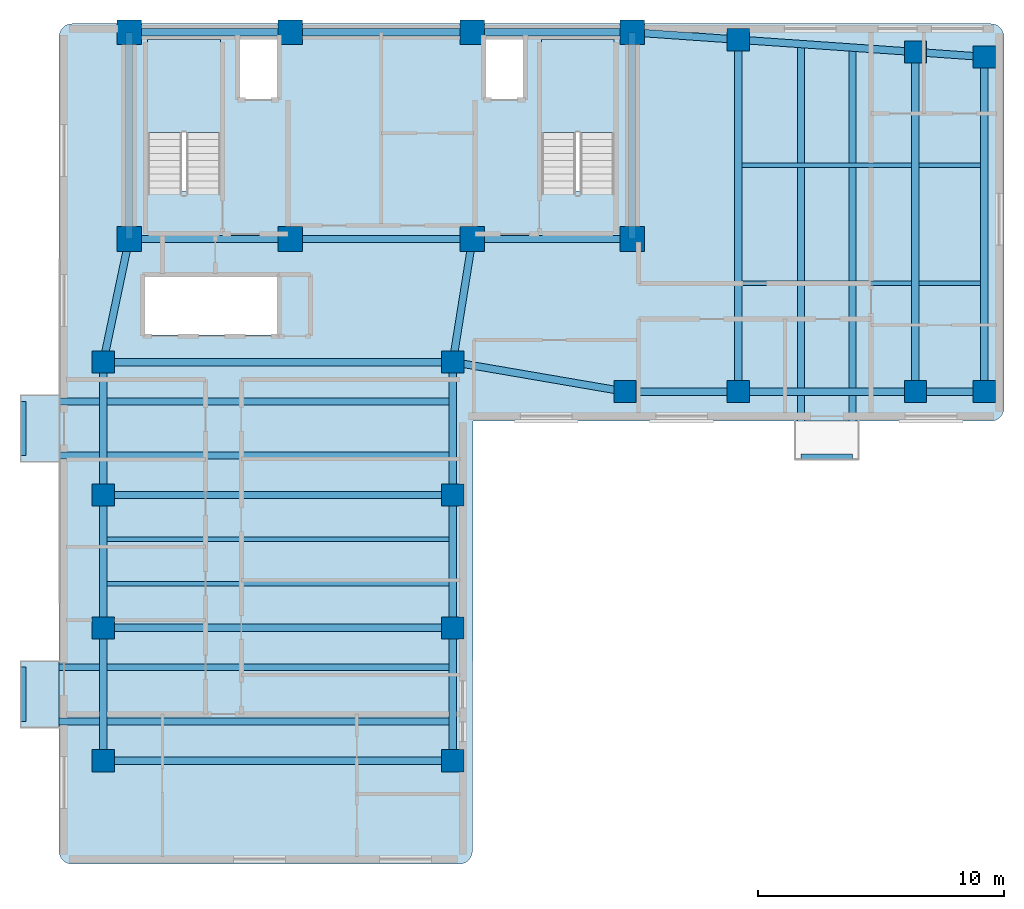
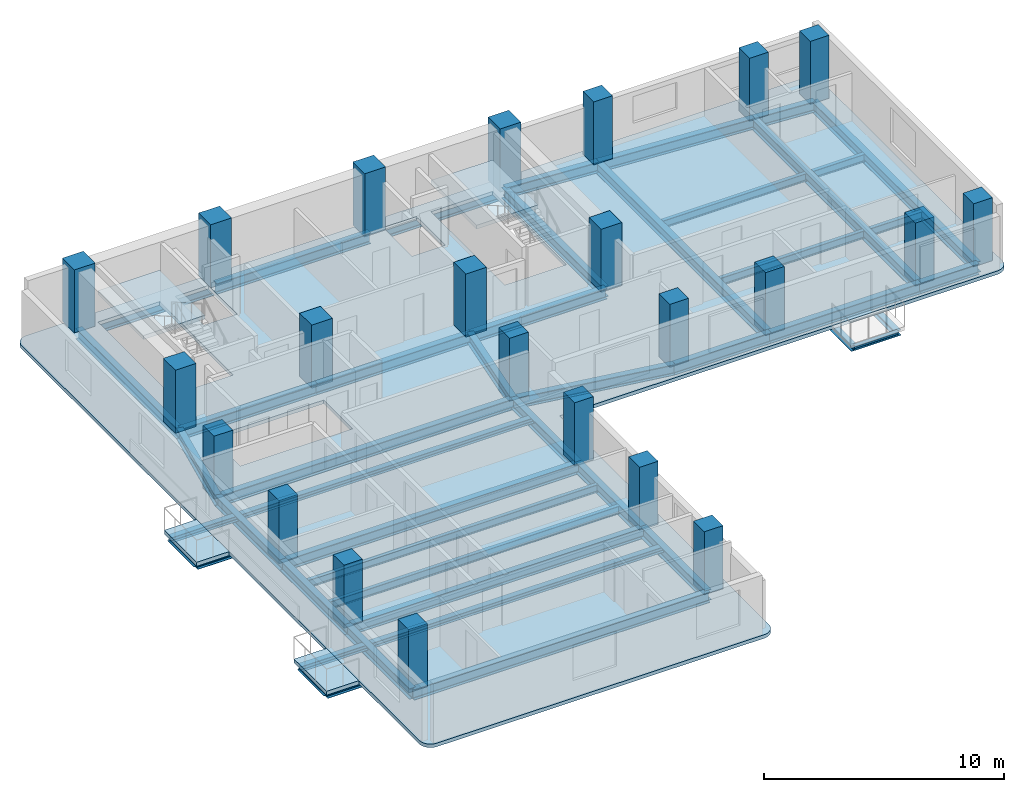
# One storey, part 1 of 6: 45 beams, 23 columns, 5 slabs, 2 elements without a shape of their own.
"""IFC4 building model written with IfcOpenShell, lengths in metres."""

from ifc_helpers import new_model, si_unit, direction, frame, origin, origin_2d, place, context, subcontext, project, spatial, polyline, rectangle, i_section, outline, extrude, material, layer, layer_set, material_profile, profile_set, type_object, element, aggregate, save


model = new_model("IFC4")

# Units and contexts
model_context = context("Model", 3, precision=1e-05, world=origin(), true_north=direction((0.0, 1.0)))
body_context = subcontext(model_context, "Body", "Model", "MODEL_VIEW")
ifc_project = project(units=[si_unit("LENGTHUNIT", "METRE"), si_unit("AREAUNIT", "SQUARE_METRE"), si_unit("VOLUMEUNIT", "CUBIC_METRE"), si_unit("PLANEANGLEUNIT", "RADIAN"), si_unit("MASSUNIT", "GRAM", prefix="KILO")], contexts=[model_context])

# Site, building, storey
site_placement = place(None, origin())
site = spatial("IfcSite", under=ifc_project, at=site_placement, CompositionType="ELEMENT")
building_placement = place(site_placement, origin())
building = spatial("IfcBuilding", under=site, at=building_placement, Name="Kuzgunbayir Cultural Tower", CompositionType="ELEMENT")
storey_placement = place(building_placement, frame((0.0, 0.0, 169.60009765625)))
storey = spatial("IfcBuildingStorey", under=building, at=storey_placement, Name="L49", CompositionType="ELEMENT", Elevation=169.60009765625)

# Columns
ifc_material_1 = material(Name="Concrete C50/60", Category="concrete")
ifc_material_profile_1 = material_profile(ifc_material_1, rectangle(XDim=1.0, YDim=1.0, at=origin_2d()), Name="RC 1000x1000")
ifc_profile_set_1 = profile_set([ifc_material_profile_1], Name="Concrete C50/60")
column_type_1 = type_object("IfcColumnType", Name="COL-CORE-1000", PredefinedType="COLUMN", material=ifc_profile_set_1)
for number, where, z_axis, x_axis, name in (
    (1, (6.449951171875, 33.800048828125, 0.0), (0.0, 0.0, 1.0), (1.0, 0.0, 0.0), "L49 T1 Core Boundary Column CC1-1"),
    (2, (13.0, 33.800048828125, 0.0), (0.0, 0.0, 1.0), (1.0, 0.0, 0.0), "L49 T1 Core Boundary Column CC1-2"),
    (3, (20.39990234375, 33.800048828125, 0.0), (0.0, 0.0, 1.0), (1.0, 0.0, 0.0), "L49 T1 Core Boundary Column CC1-3"),
    (4, (26.89990234375, 33.800048828125, 0.0), (0.0, 0.0, 1.0), (1.0, 0.0, 0.0), "L49 T1 Core Boundary Column CC1-4"),
    (5, (6.449951171875, 42.199951171875, 0.0), (0.0, 0.0, 1.0), (1.0, 0.0, 0.0), "L49 T1 Core Boundary Column CC1-5"),
    (6, (13.0, 42.199951171875, 0.0), (0.0, 0.0, 1.0), (1.0, 0.0, 0.0), "L49 T1 Core Boundary Column CC1-6"),
    (7, (20.39990234375, 42.199951171875, 0.0), (0.0, 0.0, 1.0), (1.0, 0.0, 0.0), "L49 T1 Core Boundary Column CC1-7"),
    (8, (26.89990234375, 42.199951171875, 0.0), (0.0, 0.0, 1.0), (1.0, 0.0, 0.0), "L49 T1 Core Boundary Column CC1-8"),
):
    element("IfcColumn", number, at=place(storey_placement, frame(where, z_axis=z_axis, x_axis=x_axis)), inside=storey, type_object=column_type_1, Name=name, PredefinedType="COLUMN", context=body_context, shape_type="SweptSolid", body=[
        extrude(rectangle(XDim=1.0, YDim=1.0, at=origin_2d()), origin(), (0.0, 0.0, 1.0), 3.199951171875),
    ])
ifc_material_profile_2 = material_profile(ifc_material_1, rectangle(XDim=0.89990234375, YDim=0.89990234375, at=origin_2d()), Name="RC 900x900")
ifc_profile_set_2 = profile_set([ifc_material_profile_2], Name="Concrete C50/60")
column_type_2 = type_object("IfcColumnType", Name="COL-T1-900", PredefinedType="COLUMN", material=ifc_profile_set_2)
for number, where, z_axis, x_axis, name in (
    (9, (5.39990234375, 12.60009765625, 0.0), (0.0, 0.0, 1.0), (1.0, 0.0, 0.0), "L49 Tower 1 Wing A Column T1A-W-1"),
    (10, (19.60009765625, 12.60009765625, 0.0), (0.0, 0.0, 1.0), (1.0, 0.0, 0.0), "L49 Tower 1 Wing A Column T1A-E-1"),
    (11, (5.39990234375, 18.0, 0.0), (0.0, 0.0, 1.0), (1.0, 0.0, 0.0), "L49 Tower 1 Wing A Column T1A-W-2"),
    (12, (19.60009765625, 18.0, 0.0), (0.0, 0.0, 1.0), (1.0, 0.0, 0.0), "L49 Tower 1 Wing A Column T1A-E-2"),
    (13, (5.39990234375, 23.39990234375, 0.0), (0.0, 0.0, 1.0), (1.0, 0.0, 0.0), "L49 Tower 1 Wing A Column T1A-W-3"),
    (14, (19.60009765625, 23.39990234375, 0.0), (0.0, 0.0, 1.0), (1.0, 0.0, 0.0), "L49 Tower 1 Wing A Column T1A-E-3"),
    (15, (5.39990234375, 28.800048828125, 0.0), (0.0, 0.0, 1.0), (1.0, 0.0, 0.0), "L49 Tower 1 Wing A Column T1A-W-4"),
    (16, (19.60009765625, 28.800048828125, 0.0), (0.0, 0.0, 1.0), (1.0, 0.0, 0.0), "L49 Tower 1 Wing A Column T1A-E-4"),
    (17, (26.60009765625, 27.60009765625, 0.0), (0.0, 0.0, 1.0), (1.0, 0.0, 0.0), "L49 Tower 1 Wing B Column T1B-1-1"),
    (18, (31.199951171875, 27.60009765625, 0.0), (0.0, 0.0, 1.0), (1.0, 0.0, 0.0), "L49 Tower 1 Wing B Column T1B-2-1"),
    (19, (31.199951171875, 41.89990234375, 0.0), (0.0, 0.0, 1.0), (1.0, 0.0, 0.0), "L49 Tower 1 Wing B Column T1B-2-2"),
    (20, (38.39990234375, 27.60009765625, 0.0), (0.0, 0.0, 1.0), (1.0, 0.0, 0.0), "L49 Tower 1 Wing B Column T1B-3-1"),
    (21, (38.39990234375, 41.39990234375, 0.0), (0.0, 0.0, 1.0), (1.0, 0.0, 0.0), "L49 Tower 1 Wing B Column T1B-3-2"),
    (22, (41.199951171875, 27.60009765625, 0.0), (0.0, 0.0, 1.0), (1.0, 0.0, 0.0), "L49 Tower 1 Wing B Column T1B-4-1"),
    (23, (41.199951171875, 41.199951171875, 0.0), (0.0, 0.0, 1.0), (1.0, 0.0, 0.0), "L49 Tower 1 Wing B Column T1B-4-2"),
):
    element("IfcColumn", number, at=place(storey_placement, frame(where, z_axis=z_axis, x_axis=x_axis)), inside=storey, type_object=column_type_2, Name=name, PredefinedType="COLUMN", context=body_context, shape_type="SweptSolid", body=[
        extrude(rectangle(XDim=0.89990234375, YDim=0.89990234375, at=origin_2d()), origin(), (0.0, 0.0, 1.0), 3.199951171875),
    ])

# Beams
ifc_material_2 = material(Name="Steel S355J2", Category="steel")
ifc_material_profile_3 = material_profile(ifc_material_2, i_section(OverallWidth=0.280029296875, OverallDepth=0.280029296875, WebThickness=0.010498046875, FlangeThickness=0.01806640625, FilletRadius=0.02392578125, at=origin_2d()), Name="HEB 280")
ifc_profile_set_3 = profile_set([ifc_material_profile_3], Name="Steel S355J2")
beam_type_1 = type_object("IfcBeamType", Name="BM-BAL-HEB280", PredefinedType="BEAM", material=ifc_profile_set_3)
for number, where, z_axis, x_axis, name in (
    (24, (2.159912109375, 14.199951171875, -0.340087890625), (1.0, 0.0, 0.0), (0.0, 1.0, 0.0), "L49 Balcony Outrigger Beam BAL-L49-WA1.1"),
    (25, (2.159912109375, 16.39990234375, -0.340087890625), (1.0, 0.0, 0.0), (0.0, 1.0, 0.0), "L49 Balcony Outrigger Beam BAL-L49-WA1.2"),
    (26, (2.159912109375, 25.0, -0.340087890625), (1.0, 0.0, 0.0), (0.0, 1.0, 0.0), "L49 Balcony Outrigger Beam BAL-L49-WA3.1"),
    (27, (2.159912109375, 27.199951171875, -0.340087890625), (1.0, 0.0, 0.0), (0.0, 1.0, 0.0), "L49 Balcony Outrigger Beam BAL-L49-WA3.2"),
):
    element("IfcBeam", number, at=place(storey_placement, frame(where, z_axis=z_axis, x_axis=x_axis)), inside=storey, type_object=beam_type_1, Name=name, PredefinedType="BEAM", context=body_context, shape_type="SweptSolid", body=[
        extrude(i_section(OverallWidth=0.280029296875, OverallDepth=0.280029296875, WebThickness=0.010498046875, FlangeThickness=0.01806640625, FilletRadius=0.02392578125, at=origin_2d()), origin(), (0.0, 0.0, 1.0), 17.440185546875),
    ])
beam_1_placement = place(storey_placement, frame((33.75, 24.9599609375, -0.340087890625), z_axis=(0.0, 1.0, 0.0), x_axis=(-1.0, 0.0, 0.0)))
element("IfcBeam", 28, at=beam_1_placement, inside=storey, type_object=beam_type_1, Name="L49 Balcony Outrigger Beam BAL-L49-WB2.1", PredefinedType="BEAM", context=body_context, shape_type="SweptSolid", body=[
    extrude(i_section(OverallWidth=0.280029296875, OverallDepth=0.280029296875, WebThickness=0.010498046875, FlangeThickness=0.01806640625, FilletRadius=0.02392578125, at=origin_2d()), origin(), (0.0, 0.0, 1.0), 16.760009765625),
])
beam_2_placement = place(storey_placement, frame((35.85009765625, 24.9599609375, -0.340087890625), z_axis=(0.0, 1.0, 0.0), x_axis=(-1.0, 0.0, 0.0)))
element("IfcBeam", 29, at=beam_2_placement, inside=storey, type_object=beam_type_1, Name="L49 Balcony Outrigger Beam BAL-L49-WB2.2", PredefinedType="BEAM", context=body_context, shape_type="SweptSolid", body=[
    extrude(i_section(OverallWidth=0.280029296875, OverallDepth=0.280029296875, WebThickness=0.010498046875, FlangeThickness=0.01806640625, FilletRadius=0.02392578125, at=origin_2d()), origin(), (0.0, 0.0, 1.0), 16.6201171875),
])
ifc_material_profile_4 = material_profile(ifc_material_2, i_section(OverallWidth=0.199951171875, OverallDepth=0.199951171875, WebThickness=0.009033203125, FlangeThickness=0.014892578125, FilletRadius=0.01806640625, at=origin_2d()), Name="HEB 200")
ifc_profile_set_4 = profile_set([ifc_material_profile_4], Name="Steel S355J2")
beam_type_2 = type_object("IfcBeamType", Name="BM-CAN-HEB200", PredefinedType="BEAM", material=ifc_profile_set_4)
for number, where, z_axis, x_axis, name in (
    (30, (2.159912109375, 14.199951171875, -0.300048828125), (0.0, 1.0, 0.0), (-1.0, 0.0, 0.0), "L49 Balcony Edge Header BAL-L49-WA1"),
    (31, (2.159912109375, 25.0, -0.300048828125), (0.0, 1.0, 0.0), (-1.0, 0.0, 0.0), "L49 Balcony Edge Header BAL-L49-WA3"),
):
    element("IfcBeam", number, at=place(storey_placement, frame(where, z_axis=z_axis, x_axis=x_axis)), inside=storey, type_object=beam_type_2, Name=name, PredefinedType="BEAM", context=body_context, shape_type="SweptSolid", body=[
        extrude(i_section(OverallWidth=0.199951171875, OverallDepth=0.199951171875, WebThickness=0.009033203125, FlangeThickness=0.014892578125, FilletRadius=0.01806640625, at=origin_2d()), origin(), (0.0, 0.0, 1.0), 2.199951171875),
    ])
beam_3_placement = place(storey_placement, frame((33.75, 24.9599609375, -0.300048828125), z_axis=(1.0, 0.0, 0.0), x_axis=(0.0, 1.0, 0.0)))
element("IfcBeam", 32, at=beam_3_placement, inside=storey, type_object=beam_type_2, Name="L49 Balcony Edge Header BAL-L49-WB2", PredefinedType="BEAM", context=body_context, shape_type="SweptSolid", body=[
    extrude(i_section(OverallWidth=0.199951171875, OverallDepth=0.199951171875, WebThickness=0.009033203125, FlangeThickness=0.014892578125, FilletRadius=0.01806640625, at=origin_2d()), origin(), (0.0, 0.0, 1.0), 2.10009765625),
])
ifc_material_profile_5 = material_profile(ifc_material_2, i_section(OverallWidth=0.300048828125, OverallDepth=0.550048828125, WebThickness=0.014892578125, FlangeThickness=0.029052734375, FilletRadius=0.027099609375, at=origin_2d()), Name="HEB 550")
ifc_profile_set_5 = profile_set([ifc_material_profile_5], Name="Steel S355J2")
beam_type_3 = type_object("IfcBeamType", Name="BM-EXT-HEB550", PredefinedType="BEAM", material=ifc_profile_set_5)
for number, where, z_axis, x_axis, name in (
    (33, (5.39990234375, 12.60009765625, -0.460205078125), (0.0, 1.0, 0.0), (-1.0, 0.0, 0.0), "L49 Wing A West Girder 1"),
    (34, (19.60009765625, 12.60009765625, -0.460205078125), (0.0, 1.0, 0.0), (-1.0, 0.0, 0.0), "L49 Wing A East Girder 1"),
    (35, (5.39990234375, 18.0, -0.460205078125), (0.0, 1.0, 0.0), (-1.0, 0.0, 0.0), "L49 Wing A West Girder 2"),
    (36, (19.60009765625, 18.0, -0.460205078125), (0.0, 1.0, 0.0), (-1.0, 0.0, 0.0), "L49 Wing A East Girder 2"),
):
    element("IfcBeam", number, at=place(storey_placement, frame(where, z_axis=z_axis, x_axis=x_axis)), inside=storey, type_object=beam_type_3, Name=name, PredefinedType="BEAM", context=body_context, shape_type="SweptSolid", body=[
        extrude(i_section(OverallWidth=0.300048828125, OverallDepth=0.550048828125, WebThickness=0.014892578125, FlangeThickness=0.029052734375, FilletRadius=0.027099609375, at=origin_2d()), origin(), (0.0, 0.0, 1.0), 5.39990234375),
    ])
for number, where, z_axis, x_axis, name in (
    (37, (5.39990234375, 23.39990234375, -0.460205078125), (0.0, 1.0, 0.0), (-1.0, 0.0, 0.0), "L49 Wing A West Girder 3"),
    (38, (19.60009765625, 23.39990234375, -0.460205078125), (0.0, 1.0, 0.0), (-1.0, 0.0, 0.0), "L49 Wing A East Girder 3"),
):
    element("IfcBeam", number, at=place(storey_placement, frame(where, z_axis=z_axis, x_axis=x_axis)), inside=storey, type_object=beam_type_3, Name=name, PredefinedType="BEAM", context=body_context, shape_type="SweptSolid", body=[
        extrude(i_section(OverallWidth=0.300048828125, OverallDepth=0.550048828125, WebThickness=0.014892578125, FlangeThickness=0.029052734375, FilletRadius=0.027099609375, at=origin_2d()), origin(), (0.0, 0.0, 1.0), 5.400146484375),
    ])
beam_4_placement = place(storey_placement, frame((26.60009765625, 27.60009765625, -0.460205078125), z_axis=(1.0, 0.0, 0.0), x_axis=(0.0, 1.0, 0.0)))
element("IfcBeam", 39, at=beam_4_placement, inside=storey, type_object=beam_type_3, Name="L49 Wing B South Girder 1", PredefinedType="BEAM", context=body_context, shape_type="SweptSolid", body=[
    extrude(i_section(OverallWidth=0.300048828125, OverallDepth=0.550048828125, WebThickness=0.014892578125, FlangeThickness=0.029052734375, FilletRadius=0.027099609375, at=origin_2d()), origin(), (0.0, 0.0, 1.0), 4.599853515625),
])
beam_5_placement = place(storey_placement, frame((26.89990234375, 42.199951171875, -0.460205078125), z_axis=(0.997574369175, -0.069608749203, 0.0), x_axis=(0.069608749203, 0.997574369175, 0.0)))
element("IfcBeam", 40, at=beam_5_placement, inside=storey, type_object=beam_type_3, Name="L49 Wing B North Girder 1", PredefinedType="BEAM", context=body_context, shape_type="SweptSolid", body=[
    extrude(i_section(OverallWidth=0.300048828125, OverallDepth=0.550048828125, WebThickness=0.014892578125, FlangeThickness=0.029052734375, FilletRadius=0.027099609375, at=origin_2d()), origin(), (0.0, 0.0, 1.0), 4.310546875),
])
beam_6_placement = place(storey_placement, frame((31.199951171875, 27.60009765625, -0.460205078125), z_axis=(1.0, 0.0, 0.0), x_axis=(0.0, 1.0, 0.0)))
element("IfcBeam", 41, at=beam_6_placement, inside=storey, type_object=beam_type_3, Name="L49 Wing B South Girder 2", PredefinedType="BEAM", context=body_context, shape_type="SweptSolid", body=[
    extrude(i_section(OverallWidth=0.300048828125, OverallDepth=0.550048828125, WebThickness=0.014892578125, FlangeThickness=0.029052734375, FilletRadius=0.027099609375, at=origin_2d()), origin(), (0.0, 0.0, 1.0), 7.199951171875),
])
beam_7_placement = place(storey_placement, frame((31.199951171875, 41.89990234375, -0.460205078125), z_axis=(0.997597388498, -0.069278066245, 0.0), x_axis=(0.069278066245, 0.997597388498, 0.0)))
element("IfcBeam", 42, at=beam_7_placement, inside=storey, type_object=beam_type_3, Name="L49 Wing B North Girder 2", PredefinedType="BEAM", context=body_context, shape_type="SweptSolid", body=[
    extrude(i_section(OverallWidth=0.300048828125, OverallDepth=0.550048828125, WebThickness=0.014892578125, FlangeThickness=0.029052734375, FilletRadius=0.027099609375, at=origin_2d()), origin(), (0.0, 0.0, 1.0), 7.21728515625),
])
beam_8_placement = place(storey_placement, frame((38.39990234375, 27.60009765625, -0.460205078125), z_axis=(1.0, 0.0, 0.0), x_axis=(0.0, 1.0, 0.0)))
element("IfcBeam", 43, at=beam_8_placement, inside=storey, type_object=beam_type_3, Name="L49 Wing B South Girder 3", PredefinedType="BEAM", context=body_context, shape_type="SweptSolid", body=[
    extrude(i_section(OverallWidth=0.300048828125, OverallDepth=0.550048828125, WebThickness=0.014892578125, FlangeThickness=0.029052734375, FilletRadius=0.027099609375, at=origin_2d()), origin(), (0.0, 0.0, 1.0), 2.800048828125),
])
beam_9_placement = place(storey_placement, frame((38.39990234375, 41.39990234375, -0.460205078125), z_axis=(0.997460024076, -0.071228508128, 0.0), x_axis=(0.071228508128, 0.997460024076, 0.0)))
element("IfcBeam", 44, at=beam_9_placement, inside=storey, type_object=beam_type_3, Name="L49 Wing B North Girder 3", PredefinedType="BEAM", context=body_context, shape_type="SweptSolid", body=[
    extrude(i_section(OverallWidth=0.300048828125, OverallDepth=0.550048828125, WebThickness=0.014892578125, FlangeThickness=0.029052734375, FilletRadius=0.027099609375, at=origin_2d()), origin(), (0.0, 0.0, 1.0), 2.80712890625),
])
ifc_material_profile_6 = material_profile(ifc_material_2, i_section(OverallWidth=0.300048828125, OverallDepth=0.550048828125, WebThickness=0.014892578125, FlangeThickness=0.029052734375, FilletRadius=0.027099609375, at=origin_2d()), Name="HEB 550")
ifc_profile_set_6 = profile_set([ifc_material_profile_6], Name="Steel S355J2")
beam_type_4 = type_object("IfcBeamType", Name="BM-GIR-HEB550", PredefinedType="BEAM", material=ifc_profile_set_6)
beam_10_placement = place(storey_placement, frame((6.449951171875, 33.800048828125, -0.460205078125), z_axis=(1.0, 0.0, 0.0), x_axis=(0.0, 1.0, 0.0)))
element("IfcBeam", 45, at=beam_10_placement, inside=storey, type_object=beam_type_4, Name="L49 Core South Girder 1", PredefinedType="BEAM", context=body_context, shape_type="SweptSolid", body=[
    extrude(i_section(OverallWidth=0.300048828125, OverallDepth=0.550048828125, WebThickness=0.014892578125, FlangeThickness=0.029052734375, FilletRadius=0.027099609375, at=origin_2d()), origin(), (0.0, 0.0, 1.0), 6.550048828125),
])
beam_11_placement = place(storey_placement, frame((13.0, 33.800048828125, -0.460205078125), z_axis=(1.0, 0.0, 0.0), x_axis=(0.0, 1.0, 0.0)))
element("IfcBeam", 46, at=beam_11_placement, inside=storey, type_object=beam_type_4, Name="L49 Core South Girder 2", PredefinedType="BEAM", context=body_context, shape_type="SweptSolid", body=[
    extrude(i_section(OverallWidth=0.300048828125, OverallDepth=0.550048828125, WebThickness=0.014892578125, FlangeThickness=0.029052734375, FilletRadius=0.027099609375, at=origin_2d()), origin(), (0.0, 0.0, 1.0), 7.39990234375),
])
beam_12_placement = place(storey_placement, frame((20.39990234375, 33.800048828125, -0.460205078125), z_axis=(1.0, 0.0, 0.0), x_axis=(0.0, 1.0, 0.0)))
element("IfcBeam", 47, at=beam_12_placement, inside=storey, type_object=beam_type_4, Name="L49 Core South Girder 3", PredefinedType="BEAM", context=body_context, shape_type="SweptSolid", body=[
    extrude(i_section(OverallWidth=0.300048828125, OverallDepth=0.550048828125, WebThickness=0.014892578125, FlangeThickness=0.029052734375, FilletRadius=0.027099609375, at=origin_2d()), origin(), (0.0, 0.0, 1.0), 6.5),
])
beam_13_placement = place(storey_placement, frame((6.449951171875, 42.199951171875, -0.460205078125), z_axis=(1.0, 0.0, 0.0), x_axis=(0.0, 1.0, 0.0)))
element("IfcBeam", 48, at=beam_13_placement, inside=storey, type_object=beam_type_4, Name="L49 Core North Girder 1", PredefinedType="BEAM", context=body_context, shape_type="SweptSolid", body=[
    extrude(i_section(OverallWidth=0.300048828125, OverallDepth=0.550048828125, WebThickness=0.014892578125, FlangeThickness=0.029052734375, FilletRadius=0.027099609375, at=origin_2d()), origin(), (0.0, 0.0, 1.0), 6.550048828125),
])
beam_14_placement = place(storey_placement, frame((13.0, 42.199951171875, -0.460205078125), z_axis=(1.0, 0.0, 0.0), x_axis=(0.0, 1.0, 0.0)))
element("IfcBeam", 49, at=beam_14_placement, inside=storey, type_object=beam_type_4, Name="L49 Core North Girder 2", PredefinedType="BEAM", context=body_context, shape_type="SweptSolid", body=[
    extrude(i_section(OverallWidth=0.300048828125, OverallDepth=0.550048828125, WebThickness=0.014892578125, FlangeThickness=0.029052734375, FilletRadius=0.027099609375, at=origin_2d()), origin(), (0.0, 0.0, 1.0), 7.39990234375),
])
beam_15_placement = place(storey_placement, frame((20.39990234375, 42.199951171875, -0.460205078125), z_axis=(1.0, 0.0, 0.0), x_axis=(0.0, 1.0, 0.0)))
element("IfcBeam", 50, at=beam_15_placement, inside=storey, type_object=beam_type_4, Name="L49 Core North Girder 3", PredefinedType="BEAM", context=body_context, shape_type="SweptSolid", body=[
    extrude(i_section(OverallWidth=0.300048828125, OverallDepth=0.550048828125, WebThickness=0.014892578125, FlangeThickness=0.029052734375, FilletRadius=0.027099609375, at=origin_2d()), origin(), (0.0, 0.0, 1.0), 6.5),
])
for number, where, z_axis, x_axis, name in (
    (51, (6.449951171875, 33.800048828125, -0.460205078125), (0.0, 1.0, 0.0), (-1.0, 0.0, 0.0), "L49 Core West Edge Girder"),
    (52, (26.89990234375, 33.800048828125, -0.460205078125), (0.0, 1.0, 0.0), (-1.0, 0.0, 0.0), "L49 Core East Edge Girder"),
):
    element("IfcBeam", number, at=place(storey_placement, frame(where, z_axis=z_axis, x_axis=x_axis)), inside=storey, type_object=beam_type_4, Name=name, PredefinedType="BEAM", context=body_context, shape_type="SweptSolid", body=[
        extrude(i_section(OverallWidth=0.300048828125, OverallDepth=0.550048828125, WebThickness=0.014892578125, FlangeThickness=0.029052734375, FilletRadius=0.027099609375, at=origin_2d()), origin(), (0.0, 0.0, 1.0), 8.39990234375),
    ])
for number, where, z_axis, x_axis, name in (
    (53, (5.39990234375, 12.60009765625, -0.460205078125), (1.0, 0.0, 0.0), (0.0, 1.0, 0.0), "L49 Wing A Transverse Girder 1"),
    (54, (5.39990234375, 18.0, -0.460205078125), (1.0, 0.0, 0.0), (0.0, 1.0, 0.0), "L49 Wing A Transverse Girder 2"),
    (55, (5.39990234375, 23.39990234375, -0.460205078125), (1.0, 0.0, 0.0), (0.0, 1.0, 0.0), "L49 Wing A Transverse Girder 3"),
    (56, (5.39990234375, 28.800048828125, -0.460205078125), (1.0, 0.0, 0.0), (0.0, 1.0, 0.0), "L49 Wing A Transverse Girder 4"),
):
    element("IfcBeam", number, at=place(storey_placement, frame(where, z_axis=z_axis, x_axis=x_axis)), inside=storey, type_object=beam_type_4, Name=name, PredefinedType="BEAM", context=body_context, shape_type="SweptSolid", body=[
        extrude(i_section(OverallWidth=0.300048828125, OverallDepth=0.550048828125, WebThickness=0.014892578125, FlangeThickness=0.029052734375, FilletRadius=0.027099609375, at=origin_2d()), origin(), (0.0, 0.0, 1.0), 14.2001953125),
    ])
beam_16_placement = place(storey_placement, frame((5.39990234375, 28.800048828125, -0.460205078125), z_axis=(0.205526387753, 0.978651574329, 0.0), x_axis=(-0.978651574329, 0.205526387753, 0.0)))
element("IfcBeam", 57, at=beam_16_placement, inside=storey, type_object=beam_type_4, Name="L49 Wing A West Core Floor Girder", PredefinedType="BEAM", context=body_context, shape_type="SweptSolid", body=[
    extrude(i_section(OverallWidth=0.300048828125, OverallDepth=0.550048828125, WebThickness=0.014892578125, FlangeThickness=0.029052734375, FilletRadius=0.027099609375, at=origin_2d()), origin(), (0.0, 0.0, 1.0), 5.109130859375),
])
beam_17_placement = place(storey_placement, frame((19.60009765625, 28.800048828125, -0.460205078125), z_axis=(0.157952891656, 0.987446648694, 0.0), x_axis=(-0.987446648694, 0.157952891656, 0.0)))
element("IfcBeam", 58, at=beam_17_placement, inside=storey, type_object=beam_type_4, Name="L49 Wing A East Core Floor Girder", PredefinedType="BEAM", context=body_context, shape_type="SweptSolid", body=[
    extrude(i_section(OverallWidth=0.300048828125, OverallDepth=0.550048828125, WebThickness=0.014892578125, FlangeThickness=0.029052734375, FilletRadius=0.027099609375, at=origin_2d()), origin(), (0.0, 0.0, 1.0), 5.0634765625),
])
beam_18_placement = place(storey_placement, frame((31.199951171875, 27.60009765625, -0.460205078125), z_axis=(0.0, 1.0, 0.0), x_axis=(-1.0, 0.0, 0.0)))
element("IfcBeam", 59, at=beam_18_placement, inside=storey, type_object=beam_type_4, Name="L49 Wing B Cross Girder 31", PredefinedType="BEAM", context=body_context, shape_type="SweptSolid", body=[
    extrude(i_section(OverallWidth=0.300048828125, OverallDepth=0.550048828125, WebThickness=0.014892578125, FlangeThickness=0.029052734375, FilletRadius=0.027099609375, at=origin_2d()), origin(), (0.0, 0.0, 1.0), 14.2998046875),
])
beam_19_placement = place(storey_placement, frame((38.39990234375, 27.60009765625, -0.460205078125), z_axis=(0.0, 1.0, 0.0), x_axis=(-1.0, 0.0, 0.0)))
element("IfcBeam", 60, at=beam_19_placement, inside=storey, type_object=beam_type_4, Name="L49 Wing B Cross Girder 38", PredefinedType="BEAM", context=body_context, shape_type="SweptSolid", body=[
    extrude(i_section(OverallWidth=0.300048828125, OverallDepth=0.550048828125, WebThickness=0.014892578125, FlangeThickness=0.029052734375, FilletRadius=0.027099609375, at=origin_2d()), origin(), (0.0, 0.0, 1.0), 13.7998046875),
])
beam_20_placement = place(storey_placement, frame((41.199951171875, 27.60009765625, -0.460205078125), z_axis=(0.0, 1.0, 0.0), x_axis=(-1.0, 0.0, 0.0)))
element("IfcBeam", 61, at=beam_20_placement, inside=storey, type_object=beam_type_4, Name="L49 Wing B Cross Girder 41", PredefinedType="BEAM", context=body_context, shape_type="SweptSolid", body=[
    extrude(i_section(OverallWidth=0.300048828125, OverallDepth=0.550048828125, WebThickness=0.014892578125, FlangeThickness=0.029052734375, FilletRadius=0.027099609375, at=origin_2d()), origin(), (0.0, 0.0, 1.0), 13.599853515625),
])
beam_21_placement = place(storey_placement, frame((19.60009765625, 28.800048828125, -0.460205078125), z_axis=(0.985623399742, -0.168957136221, 0.0), x_axis=(0.168957136221, 0.985623399742, 0.0)))
element("IfcBeam", 62, at=beam_21_placement, inside=storey, type_object=beam_type_4, Name="L49 Wing B Waist Tie Girder", PredefinedType="BEAM", context=body_context, shape_type="SweptSolid", body=[
    extrude(i_section(OverallWidth=0.300048828125, OverallDepth=0.550048828125, WebThickness=0.014892578125, FlangeThickness=0.029052734375, FilletRadius=0.027099609375, at=origin_2d()), origin(), (0.0, 0.0, 1.0), 7.10205078125),
])
ifc_material_profile_7 = material_profile(ifc_material_2, i_section(OverallWidth=0.179931640625, OverallDepth=0.39990234375, WebThickness=0.008544921875, FlangeThickness=0.013427734375, FilletRadius=0.02099609375, at=origin_2d()), Name="IPE 400")
ifc_profile_set_7 = profile_set([ifc_material_profile_7], Name="Steel S355J2")
beam_type_5 = type_object("IfcBeamType", Name="BM-JST-IPE400", PredefinedType="JOIST", material=ifc_profile_set_7)
for number, where, z_axis, x_axis, name in (
    (63, (5.550048828125, 19.800048828125, -0.380126953125), (1.0, 0.0, 0.0), (0.0, 1.0, 0.0), "L49 Wing A Secondary Joist 3"),
    (64, (5.550048828125, 21.60009765625, -0.380126953125), (1.0, 0.0, 0.0), (0.0, 1.0, 0.0), "L49 Wing A Secondary Joist 4"),
):
    element("IfcBeam", number, at=place(storey_placement, frame(where, z_axis=z_axis, x_axis=x_axis)), inside=storey, type_object=beam_type_5, Name=name, PredefinedType="JOIST", context=body_context, shape_type="SweptSolid", body=[
        extrude(i_section(OverallWidth=0.179931640625, OverallDepth=0.39990234375, WebThickness=0.008544921875, FlangeThickness=0.013427734375, FilletRadius=0.02099609375, at=origin_2d()), origin(), (0.0, 0.0, 1.0), 13.89990234375),
    ])
for number, where, z_axis, x_axis, name in (
    (65, (31.35009765625, 32.0, -0.380126953125), (1.0, 0.0, 0.0), (0.0, 1.0, 0.0), "L49 Wing B Secondary Joist 1.1"),
    (66, (31.35009765625, 36.800048828125, -0.380126953125), (1.0, 0.0, 0.0), (0.0, 1.0, 0.0), "L49 Wing B Secondary Joist 1.2"),
):
    element("IfcBeam", number, at=place(storey_placement, frame(where, z_axis=z_axis, x_axis=x_axis)), inside=storey, type_object=beam_type_5, Name=name, PredefinedType="JOIST", context=body_context, shape_type="SweptSolid", body=[
        extrude(i_section(OverallWidth=0.179931640625, OverallDepth=0.39990234375, WebThickness=0.008544921875, FlangeThickness=0.013427734375, FilletRadius=0.02099609375, at=origin_2d()), origin(), (0.0, 0.0, 1.0), 6.89990234375),
    ])
for number, where, z_axis, x_axis, name in (
    (67, (38.550048828125, 32.0, -0.380126953125), (1.0, 0.0, 0.0), (0.0, 1.0, 0.0), "L49 Wing B Secondary Joist 2.1"),
    (68, (38.550048828125, 36.800048828125, -0.380126953125), (1.0, 0.0, 0.0), (0.0, 1.0, 0.0), "L49 Wing B Secondary Joist 2.2"),
):
    element("IfcBeam", number, at=place(storey_placement, frame(where, z_axis=z_axis, x_axis=x_axis)), inside=storey, type_object=beam_type_5, Name=name, PredefinedType="JOIST", context=body_context, shape_type="SweptSolid", body=[
        extrude(i_section(OverallWidth=0.179931640625, OverallDepth=0.39990234375, WebThickness=0.008544921875, FlangeThickness=0.013427734375, FilletRadius=0.02099609375, at=origin_2d()), origin(), (0.0, 0.0, 1.0), 2.5),
    ])

# Slabs
ifc_material_3 = material(Name="Concrete C40/50", Category="concrete")
ifc_layer_1 = layer(ifc_material_3, 0.199951171875)
ifc_layer_set_1 = layer_set([ifc_layer_1], Name="Concrete C40/50")
slab_type_1 = type_object("IfcSlabType", Name="SLB-BAL-STONE", PredefinedType="FLOOR", material=ifc_layer_set_1)
slab_1_placement = place(storey_placement, frame((0.0, 0.0, -0.2001953125)))
element("IfcSlab", 69, at=slab_1_placement, inside=storey, type_object=slab_type_1, Name="L49 Projecting Limestone Balcony BAL-L49-WA1", PredefinedType="FLOOR", context=body_context, shape_type="SweptSolid", body=[
    extrude(outline(polyline([(2.0400390625, 13.949951171875), (3.60009765625, 13.949951171875), (3.60009765625, 16.64990234375), (2.0400390625, 16.64990234375), (2.0400390625, 13.949951171875)])), origin(), (0.0, 0.0, 1.0), 0.2001953125),
])
slab_2_placement = place(storey_placement, frame((0.0, 0.0, -0.2001953125)))
element("IfcSlab", 70, at=slab_2_placement, inside=storey, type_object=slab_type_1, Name="L49 Projecting Limestone Balcony BAL-L49-WA3", PredefinedType="FLOOR", context=body_context, shape_type="SweptSolid", body=[
    extrude(outline(polyline([(2.0400390625, 24.75), (3.60009765625, 24.75), (3.60009765625, 27.449951171875), (2.0400390625, 27.449951171875), (2.0400390625, 24.75)])), origin(), (0.0, 0.0, 1.0), 0.2001953125),
])

# Stair, slab
stair_type = type_object("IfcStairType", Name="STR-EXIT-CORE", PredefinedType="HALF_TURN_STAIR", material=ifc_material_3)
stair_1_placement = place(storey_placement, origin())
stair_1 = element("IfcStair", 71, at=stair_1_placement, inside=storey, type_object=stair_type, Name="L49 ST-1", PredefinedType="HALF_TURN_STAIR")
ifc_layer_2 = layer(ifc_material_3, 0.179931640625)
ifc_layer_set_2 = layer_set([ifc_layer_2], Name="Concrete C40/50")
slab_type_2 = type_object("IfcSlabType", Name="SLB-LANDING-180", PredefinedType="LANDING", material=ifc_layer_set_2)
slab_3_placement = place(storey_placement, frame((0.0, 0.0, 1.39990234375)))
slab_3 = element("IfcSlab", 72, at=slab_3_placement, type_object=slab_type_2, Name="ST-1 landing 1", PredefinedType="LANDING", context=body_context, shape_type="SweptSolid", body=[
    extrude(outline(polyline([(10.159912109375, 38.1201171875), (10.159912109375, 41.89990234375), (7.199951171875, 41.89990234375), (7.199951171875, 38.1201171875), (10.159912109375, 38.1201171875)])), origin(), (0.0, 0.0, 1.0), 0.199951171875),
])
aggregate(stair_1, [slab_3])

stair_2_placement = place(storey_placement, origin())
stair_2 = element("IfcStair", 73, at=stair_2_placement, inside=storey, type_object=stair_type, Name="L49 ST-2", PredefinedType="HALF_TURN_STAIR")
slab_4_placement = place(storey_placement, frame((0.0, 0.0, 1.39990234375)))
slab_4 = element("IfcSlab", 74, at=slab_4_placement, type_object=slab_type_2, Name="ST-2 landing 1", PredefinedType="LANDING", context=body_context, shape_type="SweptSolid", body=[
    extrude(outline(polyline([(26.159912109375, 38.1201171875), (26.159912109375, 41.89990234375), (23.199951171875, 41.89990234375), (23.199951171875, 38.1201171875), (26.159912109375, 38.1201171875)])), origin(), (0.0, 0.0, 1.0), 0.199951171875),
])
aggregate(stair_2, [slab_4])

# Slab
ifc_layer_3 = layer(ifc_material_3, 0.179931640625)
ifc_layer_set_3 = layer_set([ifc_layer_3], Name="Concrete C40/50")
slab_type_3 = type_object("IfcSlabType", Name="SLB-TYP-180", PredefinedType="FLOOR", material=ifc_layer_set_3)
slab_5_placement = place(storey_placement, frame((0.0, 0.0, -0.18017578125)))
element("IfcSlab", 75, at=slab_5_placement, inside=storey, type_object=slab_type_3, Name="L49 Tower 1 Floor Slab T1-MAIN", PredefinedType="FLOOR", context=body_context, shape_type="SweptSolid", body=[
    extrude(outline(polyline([(20.39990234375, 8.949951171875), (20.389892578125, 8.840087890625), (20.360107421875, 8.739990234375), (20.31005859375, 8.639892578125), (20.239990234375, 8.56005859375), (20.159912109375, 8.489990234375), (20.06005859375, 8.43994140625), (19.9599609375, 8.409912109375), (19.85009765625, 8.39990234375), (4.14990234375, 8.39990234375), (4.0400390625, 8.409912109375), (3.93994140625, 8.43994140625), (3.840087890625, 8.489990234375), (3.760009765625, 8.56005859375), (3.68994140625, 8.639892578125), (3.639892578125, 8.739990234375), (3.610107421875, 8.840087890625), (3.60009765625, 8.949951171875), (3.60009765625, 42.0), (3.610107421875, 42.110107421875), (3.639892578125, 42.2099609375), (3.68994140625, 42.31005859375), (3.760009765625, 42.389892578125), (3.840087890625, 42.4599609375), (3.93994140625, 42.510009765625), (4.0400390625, 42.5400390625), (4.14990234375, 42.550048828125), (41.449951171875, 42.550048828125), (41.56005859375, 42.5400390625), (41.659912109375, 42.510009765625), (41.760009765625, 42.4599609375), (41.840087890625, 42.389892578125), (41.909912109375, 42.31005859375), (41.9599609375, 42.2099609375), (41.989990234375, 42.110107421875), (42.0, 42.0), (42.0, 26.949951171875), (41.989990234375, 26.840087890625), (41.9599609375, 26.739990234375), (41.909912109375, 26.639892578125), (41.840087890625, 26.56005859375), (41.760009765625, 26.489990234375), (41.659912109375, 26.43994140625), (41.56005859375, 26.409912109375), (41.449951171875, 26.39990234375), (20.429931640625, 26.39990234375), (20.39990234375, 8.949951171875)]), holes=[polyline([(7.199951171875, 35.760009765625), (7.199951171875, 41.89990234375), (10.159912109375, 41.89990234375), (10.159912109375, 35.760009765625), (7.199951171875, 35.760009765625)]), polyline([(23.199951171875, 35.760009765625), (23.199951171875, 41.89990234375), (26.159912109375, 41.89990234375), (26.159912109375, 35.760009765625), (23.199951171875, 35.760009765625)]), polyline([(7.10009765625, 29.89990234375), (7.10009765625, 32.300048828125), (12.5, 32.300048828125), (12.5, 29.89990234375), (7.10009765625, 29.89990234375)]), polyline([(10.89990234375, 39.5), (10.89990234375, 41.89990234375), (12.5, 41.89990234375), (12.5, 39.5), (10.89990234375, 39.5)]), polyline([(20.89990234375, 39.5), (20.89990234375, 41.89990234375), (22.5, 41.89990234375), (22.5, 39.5), (20.89990234375, 39.5)])]), origin(), (0.0, 0.0, 1.0), 0.18017578125),
])

save(model, "model.ifc")
